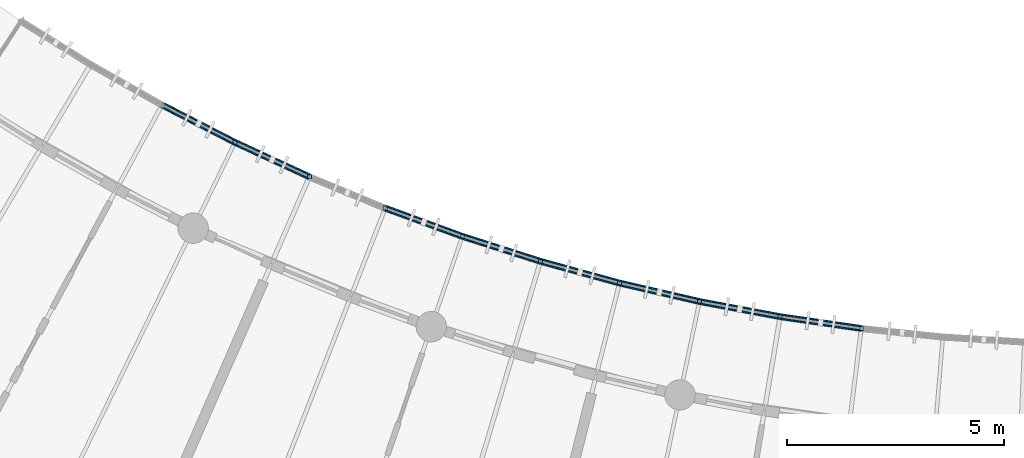
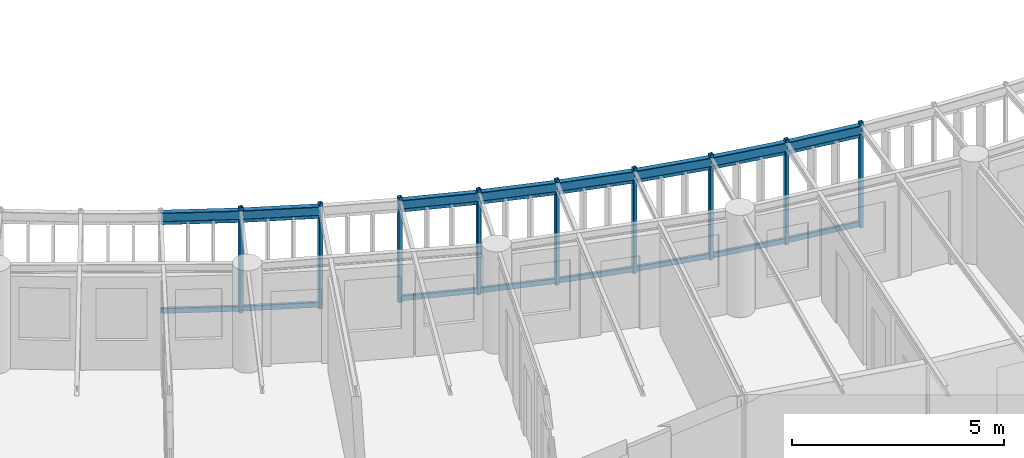
# One storey, part 8 of 100: 25 members, 8 beams.
"""IFC4 building model written with IfcOpenShell, lengths in metres."""

from ifc_helpers import new_model, si_unit, direction, frame, origin, origin_2d, place, context, subcontext, project, spatial, hollow_rectangle, extrude, material, material_profile, profile_set, type_object, element, save


model = new_model("IFC4")

# Units and contexts
model_context = context("Model", 3, precision=1e-05, world=origin(), true_north=direction((0.0, 1.0)))
body_context = subcontext(model_context, "Body", "Model", "MODEL_VIEW")
ifc_project = project(units=[si_unit("LENGTHUNIT", "METRE"), si_unit("AREAUNIT", "SQUARE_METRE"), si_unit("VOLUMEUNIT", "CUBIC_METRE"), si_unit("PLANEANGLEUNIT", "RADIAN"), si_unit("MASSUNIT", "GRAM", prefix="KILO"), si_unit("POWERUNIT", "WATT"), si_unit("THERMODYNAMICTEMPERATUREUNIT", "KELVIN")], contexts=[model_context])

# Site, building, storey
site_placement = place(None, origin())
site = spatial("IfcSite", under=ifc_project, at=site_placement, CompositionType="ELEMENT")
building_placement = place(site_placement, origin())
building = spatial("IfcBuilding", under=site, at=building_placement, Name="Ruvembo Vaulted Housing Court", CompositionType="ELEMENT")
storey_placement = place(building_placement, frame((0.0, 0.0, 10.89990234375)))
storey = spatial("IfcBuildingStorey", under=building, at=storey_placement, Name="L03", CompositionType="ELEMENT", Elevation=10.89990234375)

# Beams
ifc_material = material(Name="Steel S355J2", Category="steel")
ifc_material_profile_1 = material_profile(ifc_material, hollow_rectangle(XDim=0.14990234375, YDim=0.25, WallThickness=0.010009765625, InnerFilletRadius=0.010009765625, OuterFilletRadius=0.02001953125, at=origin_2d()), Name="RHS 250x150x10")
ifc_profile_set_1 = profile_set([ifc_material_profile_1], Name="Steel S355J2")
beam_type = type_object("IfcBeamType", Name="BM-ST-RHS250", PredefinedType="SPANDREL", material=ifc_profile_set_1)
for number, where, z_axis, x_axis, name in (
    (1, (47.241943359375, 21.6982421875, 2.815185546875), (0.889568437347, -0.45680192127, 0.0), (0.45680192127, 0.889568437347, 0.0), "Scoop SC2 L03 Balcony Edge Spandrel 2"),
    (2, (48.922607421875, 20.835205078125, 2.815185546875), (0.907656578832, -0.419713634403, 0.0), (0.419713634403, 0.907656578832, 0.0), "Scoop SC2 L03 Balcony Edge Spandrel 3"),
    (3, (52.38330078125, 19.320556640625, 2.815185546875), (0.939165556371, -0.343464783824, 0.0), (0.343464783824, 0.939165556371, 0.0), "Scoop SC2 L03 Balcony Edge Spandrel 5"),
):
    element("IfcBeam", number, at=place(storey_placement, frame(where, z_axis=z_axis, x_axis=x_axis)), inside=storey, type_object=beam_type, Name=name, PredefinedType="SPANDREL", context=body_context, shape_type="SweptSolid", body=[
        extrude(hollow_rectangle(XDim=0.14990234375, YDim=0.25, WallThickness=0.010009765625, InnerFilletRadius=0.010009765625, OuterFilletRadius=0.02001953125, at=origin_2d()), origin(), (0.0, 0.0, 1.0), 1.889404296875),
    ])
beam_1_placement = place(storey_placement, frame((54.15771484375, 18.671630859375, 2.815185546875), z_axis=(0.952526124364, -0.304456864605, 0.0), x_axis=(0.304456864605, 0.952526124364, 0.0)))
element("IfcBeam", 4, at=beam_1_placement, inside=storey, type_object=beam_type, Name="Scoop SC2 L03 Balcony Edge Spandrel 6", PredefinedType="SPANDREL", context=body_context, shape_type="SweptSolid", body=[
    extrude(hollow_rectangle(XDim=0.14990234375, YDim=0.25, WallThickness=0.010009765625, InnerFilletRadius=0.010009765625, OuterFilletRadius=0.02001953125, at=origin_2d()), origin(), (0.0, 0.0, 1.0), 1.88916015625),
])
beam_2_placement = place(storey_placement, frame((55.957275390625, 18.096435546875, 2.815185546875), z_axis=(0.964240073493, -0.26503033915, 0.0), x_axis=(0.26503033915, 0.964240073493, 0.0)))
element("IfcBeam", 5, at=beam_2_placement, inside=storey, type_object=beam_type, Name="Scoop SC2 L03 Balcony Edge Spandrel 7", PredefinedType="SPANDREL", context=body_context, shape_type="SweptSolid", body=[
    extrude(hollow_rectangle(XDim=0.14990234375, YDim=0.25, WallThickness=0.010009765625, InnerFilletRadius=0.010009765625, OuterFilletRadius=0.02001953125, at=origin_2d()), origin(), (0.0, 0.0, 1.0), 1.889404296875),
])
beam_3_placement = place(storey_placement, frame((57.779052734375, 17.595703125, 2.815185546875), z_axis=(0.974391195695, -0.224859506699, 0.0), x_axis=(0.224859506699, 0.974391195695, 0.0)))
element("IfcBeam", 6, at=beam_3_placement, inside=storey, type_object=beam_type, Name="Scoop SC2 L03 Balcony Edge Spandrel 8", PredefinedType="SPANDREL", context=body_context, shape_type="SweptSolid", body=[
    extrude(hollow_rectangle(XDim=0.14990234375, YDim=0.25, WallThickness=0.010009765625, InnerFilletRadius=0.010009765625, OuterFilletRadius=0.02001953125, at=origin_2d()), origin(), (0.0, 0.0, 1.0), 1.88916015625),
])
beam_4_placement = place(storey_placement, frame((59.619873046875, 17.1708984375, 2.815185546875), z_axis=(0.982804832401, -0.184647397515, 0.0), x_axis=(0.184647397515, 0.982804832401, 0.0)))
element("IfcBeam", 7, at=beam_4_placement, inside=storey, type_object=beam_type, Name="Scoop SC2 L03 Balcony Edge Spandrel 9", PredefinedType="SPANDREL", context=body_context, shape_type="SweptSolid", body=[
    extrude(hollow_rectangle(XDim=0.14990234375, YDim=0.25, WallThickness=0.010009765625, InnerFilletRadius=0.010009765625, OuterFilletRadius=0.02001953125, at=origin_2d()), origin(), (0.0, 0.0, 1.0), 1.889404296875),
])
beam_5_placement = place(storey_placement, frame((61.476806640625, 16.822021484375, 2.815185546875), z_axis=(0.989600158039, -0.143845497701, 0.0), x_axis=(0.143845497701, 0.989600158039, 0.0)))
element("IfcBeam", 8, at=beam_5_placement, inside=storey, type_object=beam_type, Name="Scoop SC2 L03 Balcony Edge Spandrel 10", PredefinedType="SPANDREL", context=body_context, shape_type="SweptSolid", body=[
    extrude(hollow_rectangle(XDim=0.14990234375, YDim=0.25, WallThickness=0.010009765625, InnerFilletRadius=0.010009765625, OuterFilletRadius=0.02001953125, at=origin_2d()), origin(), (0.0, 0.0, 1.0), 1.888916015625),
])

# Members
ifc_material_profile_2 = material_profile(ifc_material, hollow_rectangle(XDim=0.06005859375, YDim=0.1201171875, WallThickness=0.0048828125, InnerFilletRadius=0.0048828125, OuterFilletRadius=0.010009765625, at=origin_2d()), Name="RHS 120x60x5")
ifc_profile_set_2 = profile_set([ifc_material_profile_2], Name="Steel S355J2")
member_type_1 = type_object("IfcMemberType", Name="MEM-CAR-RHS120", PredefinedType="CHORD", material=ifc_profile_set_2)
for number, where, z_axis, x_axis, name in (
    (9, (47.241943359375, 21.6982421875, 2.633056640625), (0.889568437347, -0.45680192127, 0.0), (0.45680192127, 0.889568437347, 0.0), "Scoop SC2 L03 Upper Louvre Carrier Rail 2"),
    (10, (48.922607421875, 20.835205078125, 2.633056640625), (0.907656578832, -0.419713634403, 0.0), (0.419713634403, 0.907656578832, 0.0), "Scoop SC2 L03 Upper Louvre Carrier Rail 3"),
    (11, (52.38330078125, 19.320556640625, 2.633056640625), (0.939165556371, -0.343464783824, 0.0), (0.343464783824, 0.939165556371, 0.0), "Scoop SC2 L03 Upper Louvre Carrier Rail 5"),
):
    element("IfcMember", number, at=place(storey_placement, frame(where, z_axis=z_axis, x_axis=x_axis)), inside=storey, type_object=member_type_1, Name=name, PredefinedType="CHORD", context=body_context, shape_type="SweptSolid", body=[
        extrude(hollow_rectangle(XDim=0.06005859375, YDim=0.1201171875, WallThickness=0.0048828125, InnerFilletRadius=0.0048828125, OuterFilletRadius=0.010009765625, at=origin_2d()), origin(), (0.0, 0.0, 1.0), 1.889404296875),
    ])
member_1_placement = place(storey_placement, frame((54.15771484375, 18.671630859375, 2.633056640625), z_axis=(0.952526124364, -0.304456864605, 0.0), x_axis=(0.304456864605, 0.952526124364, 0.0)))
element("IfcMember", 12, at=member_1_placement, inside=storey, type_object=member_type_1, Name="Scoop SC2 L03 Upper Louvre Carrier Rail 6", PredefinedType="CHORD", context=body_context, shape_type="SweptSolid", body=[
    extrude(hollow_rectangle(XDim=0.06005859375, YDim=0.1201171875, WallThickness=0.0048828125, InnerFilletRadius=0.0048828125, OuterFilletRadius=0.010009765625, at=origin_2d()), origin(), (0.0, 0.0, 1.0), 1.88916015625),
])
member_2_placement = place(storey_placement, frame((55.957275390625, 18.096435546875, 2.633056640625), z_axis=(0.964240073493, -0.26503033915, 0.0), x_axis=(0.26503033915, 0.964240073493, 0.0)))
element("IfcMember", 13, at=member_2_placement, inside=storey, type_object=member_type_1, Name="Scoop SC2 L03 Upper Louvre Carrier Rail 7", PredefinedType="CHORD", context=body_context, shape_type="SweptSolid", body=[
    extrude(hollow_rectangle(XDim=0.06005859375, YDim=0.1201171875, WallThickness=0.0048828125, InnerFilletRadius=0.0048828125, OuterFilletRadius=0.010009765625, at=origin_2d()), origin(), (0.0, 0.0, 1.0), 1.889404296875),
])
member_3_placement = place(storey_placement, frame((57.779052734375, 17.595703125, 2.633056640625), z_axis=(0.974391195695, -0.224859506699, 0.0), x_axis=(0.224859506699, 0.974391195695, 0.0)))
element("IfcMember", 14, at=member_3_placement, inside=storey, type_object=member_type_1, Name="Scoop SC2 L03 Upper Louvre Carrier Rail 8", PredefinedType="CHORD", context=body_context, shape_type="SweptSolid", body=[
    extrude(hollow_rectangle(XDim=0.06005859375, YDim=0.1201171875, WallThickness=0.0048828125, InnerFilletRadius=0.0048828125, OuterFilletRadius=0.010009765625, at=origin_2d()), origin(), (0.0, 0.0, 1.0), 1.88916015625),
])
member_4_placement = place(storey_placement, frame((59.619873046875, 17.1708984375, 2.633056640625), z_axis=(0.982804832401, -0.184647397515, 0.0), x_axis=(0.184647397515, 0.982804832401, 0.0)))
element("IfcMember", 15, at=member_4_placement, inside=storey, type_object=member_type_1, Name="Scoop SC2 L03 Upper Louvre Carrier Rail 9", PredefinedType="CHORD", context=body_context, shape_type="SweptSolid", body=[
    extrude(hollow_rectangle(XDim=0.06005859375, YDim=0.1201171875, WallThickness=0.0048828125, InnerFilletRadius=0.0048828125, OuterFilletRadius=0.010009765625, at=origin_2d()), origin(), (0.0, 0.0, 1.0), 1.889404296875),
])
member_5_placement = place(storey_placement, frame((61.476806640625, 16.822021484375, 2.633056640625), z_axis=(0.989600158039, -0.143845497701, 0.0), x_axis=(0.143845497701, 0.989600158039, 0.0)))
element("IfcMember", 16, at=member_5_placement, inside=storey, type_object=member_type_1, Name="Scoop SC2 L03 Upper Louvre Carrier Rail 10", PredefinedType="CHORD", context=body_context, shape_type="SweptSolid", body=[
    extrude(hollow_rectangle(XDim=0.06005859375, YDim=0.1201171875, WallThickness=0.0048828125, InnerFilletRadius=0.0048828125, OuterFilletRadius=0.010009765625, at=origin_2d()), origin(), (0.0, 0.0, 1.0), 1.888916015625),
])
ifc_material_profile_3 = material_profile(ifc_material, hollow_rectangle(XDim=0.080078125, YDim=0.14990234375, WallThickness=0.00634765625, InnerFilletRadius=0.00634765625, OuterFilletRadius=0.0126953125, at=origin_2d()), Name="RHS 150x80x6.3")
ifc_profile_set_3 = profile_set([ifc_material_profile_3], Name="Steel S355J2")
member_type_2 = type_object("IfcMemberType", Name="MEM-CAR-RHS150", PredefinedType="CHORD", material=ifc_profile_set_3)
for number, where, z_axis, x_axis, name in (
    (17, (47.241943359375, 21.6982421875, 0.09521484375), (0.889568437347, -0.45680192127, 0.0), (0.45680192127, 0.889568437347, 0.0), "Scoop SC2 L03 Lower Louvre Carrier Rail 2"),
    (18, (48.922607421875, 20.835205078125, 0.09521484375), (0.907656578832, -0.419713634403, 0.0), (0.419713634403, 0.907656578832, 0.0), "Scoop SC2 L03 Lower Louvre Carrier Rail 3"),
    (19, (52.38330078125, 19.320556640625, 0.09521484375), (0.939165556371, -0.343464783824, 0.0), (0.343464783824, 0.939165556371, 0.0), "Scoop SC2 L03 Lower Louvre Carrier Rail 5"),
):
    element("IfcMember", number, at=place(storey_placement, frame(where, z_axis=z_axis, x_axis=x_axis)), inside=storey, type_object=member_type_2, Name=name, PredefinedType="CHORD", context=body_context, shape_type="SweptSolid", body=[
        extrude(hollow_rectangle(XDim=0.080078125, YDim=0.14990234375, WallThickness=0.00634765625, InnerFilletRadius=0.00634765625, OuterFilletRadius=0.0126953125, at=origin_2d()), origin(), (0.0, 0.0, 1.0), 1.889404296875),
    ])
member_6_placement = place(storey_placement, frame((54.15771484375, 18.671630859375, 0.09521484375), z_axis=(0.952526124364, -0.304456864605, 0.0), x_axis=(0.304456864605, 0.952526124364, 0.0)))
element("IfcMember", 20, at=member_6_placement, inside=storey, type_object=member_type_2, Name="Scoop SC2 L03 Lower Louvre Carrier Rail 6", PredefinedType="CHORD", context=body_context, shape_type="SweptSolid", body=[
    extrude(hollow_rectangle(XDim=0.080078125, YDim=0.14990234375, WallThickness=0.00634765625, InnerFilletRadius=0.00634765625, OuterFilletRadius=0.0126953125, at=origin_2d()), origin(), (0.0, 0.0, 1.0), 1.88916015625),
])
member_7_placement = place(storey_placement, frame((55.957275390625, 18.096435546875, 0.09521484375), z_axis=(0.964240073493, -0.26503033915, 0.0), x_axis=(0.26503033915, 0.964240073493, 0.0)))
element("IfcMember", 21, at=member_7_placement, inside=storey, type_object=member_type_2, Name="Scoop SC2 L03 Lower Louvre Carrier Rail 7", PredefinedType="CHORD", context=body_context, shape_type="SweptSolid", body=[
    extrude(hollow_rectangle(XDim=0.080078125, YDim=0.14990234375, WallThickness=0.00634765625, InnerFilletRadius=0.00634765625, OuterFilletRadius=0.0126953125, at=origin_2d()), origin(), (0.0, 0.0, 1.0), 1.889404296875),
])
member_8_placement = place(storey_placement, frame((57.779052734375, 17.595703125, 0.09521484375), z_axis=(0.974391195695, -0.224859506699, 0.0), x_axis=(0.224859506699, 0.974391195695, 0.0)))
element("IfcMember", 22, at=member_8_placement, inside=storey, type_object=member_type_2, Name="Scoop SC2 L03 Lower Louvre Carrier Rail 8", PredefinedType="CHORD", context=body_context, shape_type="SweptSolid", body=[
    extrude(hollow_rectangle(XDim=0.080078125, YDim=0.14990234375, WallThickness=0.00634765625, InnerFilletRadius=0.00634765625, OuterFilletRadius=0.0126953125, at=origin_2d()), origin(), (0.0, 0.0, 1.0), 1.88916015625),
])
member_9_placement = place(storey_placement, frame((59.619873046875, 17.1708984375, 0.09521484375), z_axis=(0.982804832401, -0.184647397515, 0.0), x_axis=(0.184647397515, 0.982804832401, 0.0)))
element("IfcMember", 23, at=member_9_placement, inside=storey, type_object=member_type_2, Name="Scoop SC2 L03 Lower Louvre Carrier Rail 9", PredefinedType="CHORD", context=body_context, shape_type="SweptSolid", body=[
    extrude(hollow_rectangle(XDim=0.080078125, YDim=0.14990234375, WallThickness=0.00634765625, InnerFilletRadius=0.00634765625, OuterFilletRadius=0.0126953125, at=origin_2d()), origin(), (0.0, 0.0, 1.0), 1.889404296875),
])
member_10_placement = place(storey_placement, frame((61.476806640625, 16.822021484375, 0.09521484375), z_axis=(0.989600158039, -0.143845497701, 0.0), x_axis=(0.143845497701, 0.989600158039, 0.0)))
element("IfcMember", 24, at=member_10_placement, inside=storey, type_object=member_type_2, Name="Scoop SC2 L03 Lower Louvre Carrier Rail 10", PredefinedType="CHORD", context=body_context, shape_type="SweptSolid", body=[
    extrude(hollow_rectangle(XDim=0.080078125, YDim=0.14990234375, WallThickness=0.00634765625, InnerFilletRadius=0.00634765625, OuterFilletRadius=0.0126953125, at=origin_2d()), origin(), (0.0, 0.0, 1.0), 1.888916015625),
])
ifc_material_profile_4 = material_profile(ifc_material, hollow_rectangle(XDim=0.10009765625, YDim=0.10009765625, WallThickness=0.00634765625, InnerFilletRadius=0.00634765625, OuterFilletRadius=0.0126953125, at=origin_2d()), Name="SHS 100x100x6.3")
ifc_profile_set_4 = profile_set([ifc_material_profile_4], Name="Steel S355J2")
member_type_3 = type_object("IfcMemberType", Name="MEM-FRM-SHS100", PredefinedType="STRUT", material=ifc_profile_set_4)
for number, where, z_axis, x_axis, name in (
    (25, (48.922607421875, 20.835205078125, -0.014892578125), (0.0, 0.0, 1.0), (1.0, 0.0, 0.0), "Scoop SC2 L03 Louvre Frame Post 3"),
    (26, (50.637451171875, 20.042236328125, -0.014892578125), (0.0, 0.0, 1.0), (1.0, 0.0, 0.0), "Scoop SC2 L03 Louvre Frame Post 4"),
    (27, (52.38330078125, 19.320556640625, -0.014892578125), (0.0, 0.0, 1.0), (1.0, 0.0, 0.0), "Scoop SC2 L03 Louvre Frame Post 5"),
    (28, (54.15771484375, 18.671630859375, -0.014892578125), (0.0, 0.0, 1.0), (1.0, 0.0, 0.0), "Scoop SC2 L03 Louvre Frame Post 6"),
    (29, (55.957275390625, 18.096435546875, -0.014892578125), (0.0, 0.0, 1.0), (1.0, 0.0, 0.0), "Scoop SC2 L03 Louvre Frame Post 7"),
    (30, (57.779052734375, 17.595703125, -0.014892578125), (0.0, 0.0, 1.0), (1.0, 0.0, 0.0), "Scoop SC2 L03 Louvre Frame Post 8"),
    (31, (59.619873046875, 17.1708984375, -0.014892578125), (0.0, 0.0, 1.0), (1.0, 0.0, 0.0), "Scoop SC2 L03 Louvre Frame Post 9"),
    (32, (61.476806640625, 16.822021484375, -0.014892578125), (0.0, 0.0, 1.0), (1.0, 0.0, 0.0), "Scoop SC2 L03 Louvre Frame Post 10"),
    (33, (63.34619140625, 16.55029296875, -0.014892578125), (0.0, 0.0, 1.0), (1.0, 0.0, 0.0), "Scoop SC2 L03 Louvre Frame Post 11"),
):
    element("IfcMember", number, at=place(storey_placement, frame(where, z_axis=z_axis, x_axis=x_axis)), inside=storey, type_object=member_type_3, Name=name, PredefinedType="STRUT", context=body_context, shape_type="SweptSolid", body=[
        extrude(hollow_rectangle(XDim=0.10009765625, YDim=0.10009765625, WallThickness=0.00634765625, InnerFilletRadius=0.00634765625, OuterFilletRadius=0.0126953125, at=origin_2d()), origin(), (0.0, 0.0, 1.0), 3.032958984375),
    ])

save(model, "model.ifc")
